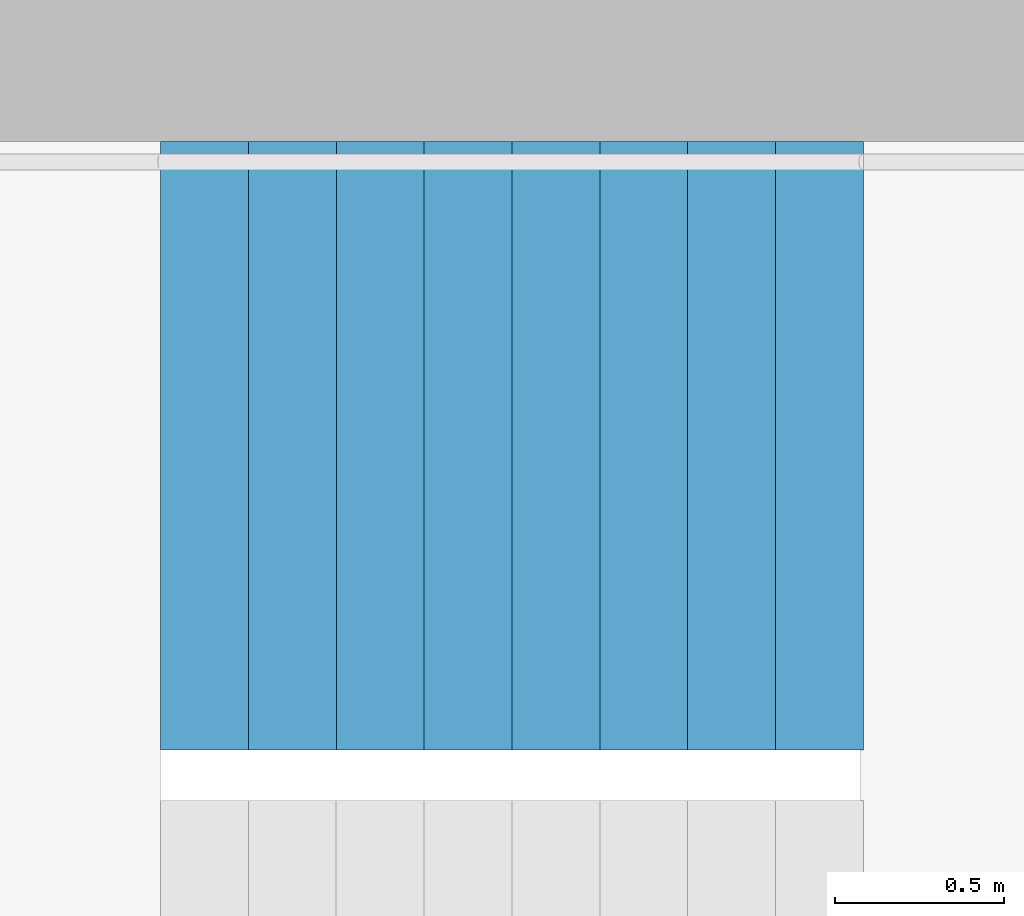
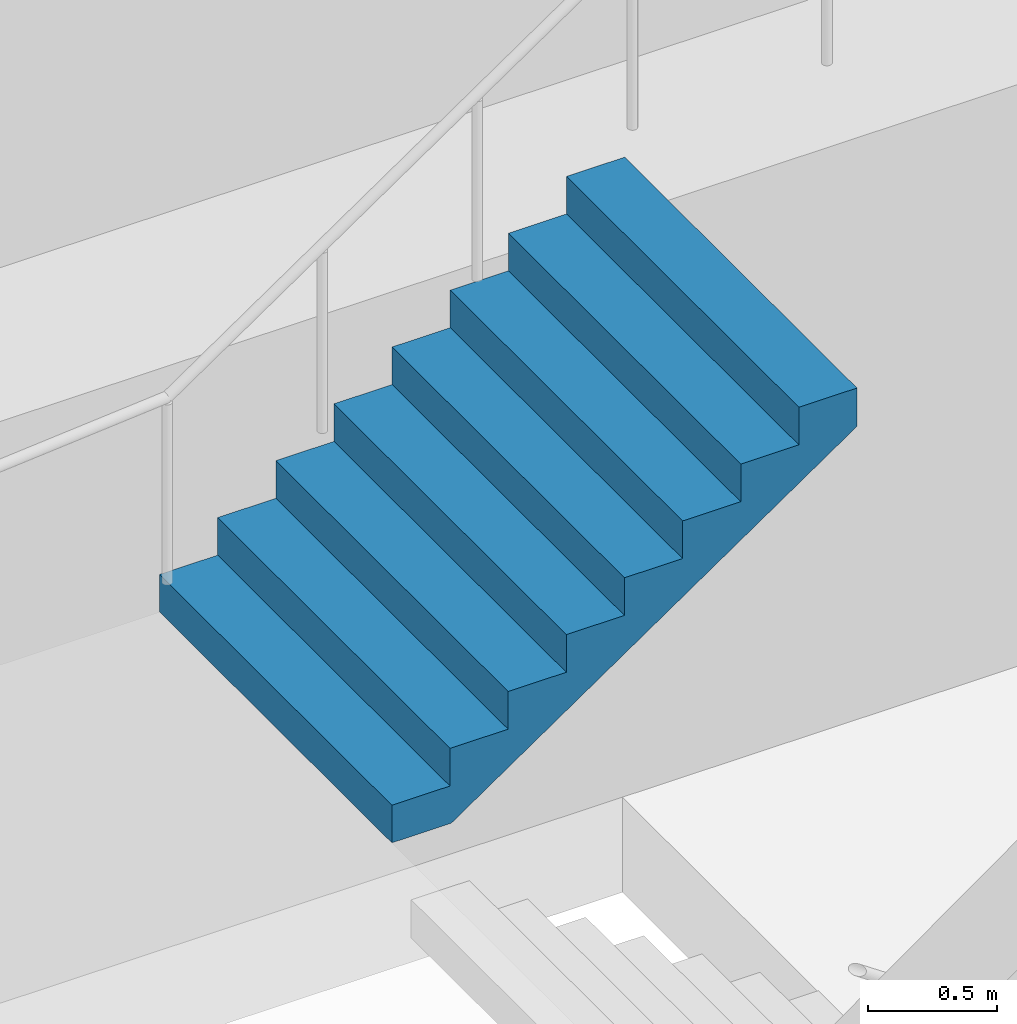
# One storey, part 26 of 27: 1 stair flight, 1 element without a shape of its own.
"""IFC4 building model written with IfcOpenShell, lengths in metres."""

from ifc_helpers import new_model, si_unit, direction, frame, origin, place, context, subcontext, project, spatial, triangles, material, type_object, element, aggregate, save


model = new_model("IFC4")

# Units and contexts
model_context = context("Model", 3, precision=1e-05, world=origin(), true_north=direction((0.0, 1.0)))
body_context = subcontext(model_context, "Body", "Model", "MODEL_VIEW")
ifc_project = project(units=[si_unit("LENGTHUNIT", "METRE"), si_unit("AREAUNIT", "SQUARE_METRE"), si_unit("VOLUMEUNIT", "CUBIC_METRE"), si_unit("PLANEANGLEUNIT", "RADIAN"), si_unit("MASSUNIT", "GRAM", prefix="KILO")], contexts=[model_context])

# Site, building, storey
site_placement = place(None, origin())
site = spatial("IfcSite", under=ifc_project, at=site_placement, CompositionType="ELEMENT")
building_placement = place(site_placement, origin())
building = spatial("IfcBuilding", under=site, at=building_placement, Name="Hakoniwa Tower and Hamabe Station Hall", CompositionType="ELEMENT")
storey_placement = place(building_placement, frame((0.0, 0.0, 261.39990234375)))
storey = spatial("IfcBuildingStorey", under=building, at=storey_placement, Name="L74", CompositionType="ELEMENT", Elevation=261.39990234375)

# Stair, stair flight
ifc_material_1 = material(Name="Concrete C40", Category="concrete")
stair_type = type_object("IfcStairType", Name="ESCAPE STAIR 1800", PredefinedType="HALF_TURN_STAIR", material=ifc_material_1)
stair_placement = place(storey_placement, origin())
stair = element("IfcStair", 1, at=stair_placement, inside=storey, type_object=stair_type, Name="Escape stair ST-3 L74", PredefinedType="HALF_TURN_STAIR")
ifc_material_2 = material(Name="Concrete C40", Category="concrete")
stair_flight_type = type_object("IfcStairFlightType", Name="STAIR FLIGHT 1800", PredefinedType="STRAIGHT", material=ifc_material_2)
stair_flight_placement = place(storey_placement, frame((22.320068359375, 6.60009765625, 1.60009765625), z_axis=(0.0, 0.0, 1.0), x_axis=(1.0, 0.0, 0.0)))
stair_flight = element("IfcStairFlight", 2, at=stair_flight_placement, type_object=stair_flight_type, Name="ST-3 flight 2", NumberOfRisers=9, NumberOfTreads=8, PredefinedType="STRAIGHT", RiserHeight=0.177777778, TreadLength=0.26, context=body_context, shape_type="Tessellation", body=[
    triangles([(0.0, 0.89990234375, 0.0), (0.260009765625, 0.89990234375, 0.0), (0.265625, 0.89990234375, 0.0), (0.52001953125, 0.89990234375, 0.174072265625), (0.780029296875, 0.89990234375, 0.351806640625), (1.0400390625, 0.89990234375, 0.529541015625), (1.300048828125, 0.89990234375, 0.707275390625), (1.56005859375, 0.89990234375, 0.885009765625), (1.820068359375, 0.89990234375, 1.062744140625), (2.080078125, 0.89990234375, 1.24072265625), (2.080078125, 0.89990234375, 1.422119140625), (1.820068359375, 0.89990234375, 1.422119140625), (1.820068359375, 0.89990234375, 1.244384765625), (1.56005859375, 0.89990234375, 1.244384765625), (1.56005859375, 0.89990234375, 1.066650390625), (1.300048828125, 0.89990234375, 1.066650390625), (1.300048828125, 0.89990234375, 0.888916015625), (1.0400390625, 0.89990234375, 0.888916015625), (1.0400390625, 0.89990234375, 0.711181640625), (0.780029296875, 0.89990234375, 0.711181640625), (0.780029296875, 0.89990234375, 0.533447265625), (0.52001953125, 0.89990234375, 0.533447265625), (0.52001953125, 0.89990234375, 0.35546875), (0.265625, 0.89990234375, 0.35546875), (0.260009765625, 0.89990234375, 0.35546875), (0.260009765625, 0.89990234375, 0.177734375), (0.0, 0.89990234375, 0.177734375), (0.0, 0.06005859375, 0.0), (0.260009765625, 0.06005859375, 0.0), (0.265625, 0.06005859375, 0.0), (0.52001953125, 0.06005859375, 0.174072265625), (0.780029296875, 0.06005859375, 0.351806640625), (1.0400390625, 0.06005859375, 0.529541015625), (1.300048828125, 0.06005859375, 0.707275390625), (1.56005859375, 0.06005859375, 0.885009765625), (1.820068359375, 0.06005859375, 1.062744140625), (2.080078125, 0.06005859375, 1.24072265625), (2.080078125, 0.06005859375, 1.422119140625), (1.820068359375, 0.06005859375, 1.422119140625), (1.820068359375, 0.06005859375, 1.244384765625), (1.56005859375, 0.06005859375, 1.244384765625), (1.56005859375, 0.06005859375, 1.066650390625), (1.300048828125, 0.06005859375, 1.066650390625), (1.300048828125, 0.06005859375, 0.888916015625), (1.0400390625, 0.06005859375, 0.888916015625), (1.0400390625, 0.06005859375, 0.711181640625), (0.780029296875, 0.06005859375, 0.711181640625), (0.780029296875, 0.06005859375, 0.533447265625), (0.52001953125, 0.06005859375, 0.533447265625), (0.52001953125, 0.06005859375, 0.35546875), (0.265625, 0.06005859375, 0.35546875), (0.260009765625, 0.06005859375, 0.35546875), (0.260009765625, 0.06005859375, 0.177734375), (0.0, 0.06005859375, 0.177734375), (0.0, 0.04296875, 0.0), (0.260009765625, 0.04296875, 0.0), (0.265625, 0.04296875, 0.0), (0.52001953125, 0.04296875, 0.174072265625), (0.780029296875, 0.04296875, 0.351806640625), (1.0400390625, 0.04296875, 0.529541015625), (1.300048828125, 0.04296875, 0.707275390625), (1.56005859375, 0.04296875, 0.885009765625), (1.820068359375, 0.04296875, 1.062744140625), (2.080078125, 0.04296875, 1.24072265625), (2.080078125, 0.04296875, 1.422119140625), (1.820068359375, 0.04296875, 1.422119140625), (1.820068359375, 0.04296875, 1.244384765625), (1.56005859375, 0.04296875, 1.244384765625), (1.56005859375, 0.04296875, 1.066650390625), (1.300048828125, 0.04296875, 1.066650390625), (1.300048828125, 0.04296875, 0.888916015625), (1.0400390625, 0.04296875, 0.888916015625), (1.0400390625, 0.04296875, 0.711181640625), (0.780029296875, 0.04296875, 0.711181640625), (0.780029296875, 0.04296875, 0.533447265625), (0.52001953125, 0.04296875, 0.533447265625), (0.52001953125, 0.04296875, 0.35546875), (0.265625, 0.04296875, 0.35546875), (0.260009765625, 0.04296875, 0.35546875), (0.260009765625, 0.04296875, 0.177734375), (0.0, 0.04296875, 0.177734375), (0.0, 0.025634765625, 0.0), (0.260009765625, 0.025634765625, 0.0), (0.265625, 0.025634765625, 0.0), (0.52001953125, 0.025634765625, 0.174072265625), (0.780029296875, 0.025634765625, 0.351806640625), (1.0400390625, 0.025634765625, 0.529541015625), (1.300048828125, 0.025634765625, 0.707275390625), (1.56005859375, 0.025634765625, 0.885009765625), (1.820068359375, 0.025634765625, 1.062744140625), (2.080078125, 0.025634765625, 1.24072265625), (2.080078125, 0.025634765625, 1.422119140625), (1.820068359375, 0.025634765625, 1.422119140625), (1.820068359375, 0.025634765625, 1.244384765625), (1.56005859375, 0.025634765625, 1.244384765625), (1.56005859375, 0.025634765625, 1.066650390625), (1.300048828125, 0.025634765625, 1.066650390625), (1.300048828125, 0.025634765625, 0.888916015625), (1.0400390625, 0.025634765625, 0.888916015625), (1.0400390625, 0.025634765625, 0.711181640625), (0.780029296875, 0.025634765625, 0.711181640625), (0.780029296875, 0.025634765625, 0.533447265625), (0.52001953125, 0.025634765625, 0.533447265625), (0.52001953125, 0.025634765625, 0.35546875), (0.265625, 0.025634765625, 0.35546875), (0.260009765625, 0.025634765625, 0.35546875), (0.260009765625, 0.025634765625, 0.177734375), (0.0, 0.025634765625, 0.177734375), (0.0, 0.008544921875, 0.0), (0.260009765625, 0.008544921875, 0.0), (0.265625, 0.008544921875, 0.0), (0.52001953125, 0.008544921875, 0.174072265625), (0.780029296875, 0.008544921875, 0.351806640625), (1.0400390625, 0.008544921875, 0.529541015625), (1.300048828125, 0.008544921875, 0.707275390625), (1.56005859375, 0.008544921875, 0.885009765625), (1.820068359375, 0.008544921875, 1.062744140625), (2.080078125, 0.008544921875, 1.24072265625), (2.080078125, 0.008544921875, 1.422119140625), (1.820068359375, 0.008544921875, 1.422119140625), (1.820068359375, 0.008544921875, 1.244384765625), (1.56005859375, 0.008544921875, 1.244384765625), (1.56005859375, 0.008544921875, 1.066650390625), (1.300048828125, 0.008544921875, 1.066650390625), (1.300048828125, 0.008544921875, 0.888916015625), (1.0400390625, 0.008544921875, 0.888916015625), (1.0400390625, 0.008544921875, 0.711181640625), (0.780029296875, 0.008544921875, 0.711181640625), (0.780029296875, 0.008544921875, 0.533447265625), (0.52001953125, 0.008544921875, 0.533447265625), (0.52001953125, 0.008544921875, 0.35546875), (0.265625, 0.008544921875, 0.35546875), (0.260009765625, 0.008544921875, 0.35546875), (0.260009765625, 0.008544921875, 0.177734375), (0.0, 0.008544921875, 0.177734375), (0.0, -0.008544921875, 0.0), (0.260009765625, -0.008544921875, 0.0), (0.265625, -0.008544921875, 0.0), (0.52001953125, -0.008544921875, 0.174072265625), (0.780029296875, -0.008544921875, 0.351806640625), (1.0400390625, -0.008544921875, 0.529541015625), (1.300048828125, -0.008544921875, 0.707275390625), (1.56005859375, -0.008544921875, 0.885009765625), (1.820068359375, -0.008544921875, 1.062744140625), (2.080078125, -0.008544921875, 1.24072265625), (2.080078125, -0.008544921875, 1.422119140625), (1.820068359375, -0.008544921875, 1.422119140625), (1.820068359375, -0.008544921875, 1.244384765625), (1.56005859375, -0.008544921875, 1.244384765625), (1.56005859375, -0.008544921875, 1.066650390625), (1.300048828125, -0.008544921875, 1.066650390625), (1.300048828125, -0.008544921875, 0.888916015625), (1.0400390625, -0.008544921875, 0.888916015625), (1.0400390625, -0.008544921875, 0.711181640625), (0.780029296875, -0.008544921875, 0.711181640625), (0.780029296875, -0.008544921875, 0.533447265625), (0.52001953125, -0.008544921875, 0.533447265625), (0.52001953125, -0.008544921875, 0.35546875), (0.265625, -0.008544921875, 0.35546875), (0.260009765625, -0.008544921875, 0.35546875), (0.260009765625, -0.008544921875, 0.177734375), (0.0, -0.008544921875, 0.177734375), (0.0, -0.025634765625, 0.0), (0.260009765625, -0.025634765625, 0.0), (0.265625, -0.025634765625, 0.0), (0.52001953125, -0.025634765625, 0.174072265625), (0.780029296875, -0.025634765625, 0.351806640625), (1.0400390625, -0.025634765625, 0.529541015625), (1.300048828125, -0.025634765625, 0.707275390625), (1.56005859375, -0.025634765625, 0.885009765625), (1.820068359375, -0.025634765625, 1.062744140625), (2.080078125, -0.025634765625, 1.24072265625), (2.080078125, -0.025634765625, 1.422119140625), (1.820068359375, -0.025634765625, 1.422119140625), (1.820068359375, -0.025634765625, 1.244384765625), (1.56005859375, -0.025634765625, 1.244384765625), (1.56005859375, -0.025634765625, 1.066650390625), (1.300048828125, -0.025634765625, 1.066650390625), (1.300048828125, -0.025634765625, 0.888916015625), (1.0400390625, -0.025634765625, 0.888916015625), (1.0400390625, -0.025634765625, 0.711181640625), (0.780029296875, -0.025634765625, 0.711181640625), (0.780029296875, -0.025634765625, 0.533447265625), (0.52001953125, -0.025634765625, 0.533447265625), (0.52001953125, -0.025634765625, 0.35546875), (0.265625, -0.025634765625, 0.35546875), (0.260009765625, -0.025634765625, 0.35546875), (0.260009765625, -0.025634765625, 0.177734375), (0.0, -0.025634765625, 0.177734375), (0.0, -0.04296875, 0.0), (0.260009765625, -0.04296875, 0.0), (0.265625, -0.04296875, 0.0), (0.52001953125, -0.04296875, 0.174072265625), (0.780029296875, -0.04296875, 0.351806640625), (1.0400390625, -0.04296875, 0.529541015625), (1.300048828125, -0.04296875, 0.707275390625), (1.56005859375, -0.04296875, 0.885009765625), (1.820068359375, -0.04296875, 1.062744140625), (2.080078125, -0.04296875, 1.24072265625), (2.080078125, -0.04296875, 1.422119140625), (1.820068359375, -0.04296875, 1.422119140625), (1.820068359375, -0.04296875, 1.244384765625), (1.56005859375, -0.04296875, 1.244384765625), (1.56005859375, -0.04296875, 1.066650390625), (1.300048828125, -0.04296875, 1.066650390625), (1.300048828125, -0.04296875, 0.888916015625), (1.0400390625, -0.04296875, 0.888916015625), (1.0400390625, -0.04296875, 0.711181640625), (0.780029296875, -0.04296875, 0.711181640625), (0.780029296875, -0.04296875, 0.533447265625), (0.52001953125, -0.04296875, 0.533447265625), (0.52001953125, -0.04296875, 0.35546875), (0.265625, -0.04296875, 0.35546875), (0.260009765625, -0.04296875, 0.35546875), (0.260009765625, -0.04296875, 0.177734375), (0.0, -0.04296875, 0.177734375), (0.0, -0.06005859375, 0.0), (0.260009765625, -0.06005859375, 0.0), (0.265625, -0.06005859375, 0.0), (0.52001953125, -0.06005859375, 0.174072265625), (0.780029296875, -0.06005859375, 0.351806640625), (1.0400390625, -0.06005859375, 0.529541015625), (1.300048828125, -0.06005859375, 0.707275390625), (1.56005859375, -0.06005859375, 0.885009765625), (1.820068359375, -0.06005859375, 1.062744140625), (2.080078125, -0.06005859375, 1.24072265625), (2.080078125, -0.06005859375, 1.422119140625), (1.820068359375, -0.06005859375, 1.422119140625), (1.820068359375, -0.06005859375, 1.244384765625), (1.56005859375, -0.06005859375, 1.244384765625), (1.56005859375, -0.06005859375, 1.066650390625), (1.300048828125, -0.06005859375, 1.066650390625), (1.300048828125, -0.06005859375, 0.888916015625), (1.0400390625, -0.06005859375, 0.888916015625), (1.0400390625, -0.06005859375, 0.711181640625), (0.780029296875, -0.06005859375, 0.711181640625), (0.780029296875, -0.06005859375, 0.533447265625), (0.52001953125, -0.06005859375, 0.533447265625), (0.52001953125, -0.06005859375, 0.35546875), (0.265625, -0.06005859375, 0.35546875), (0.260009765625, -0.06005859375, 0.35546875), (0.260009765625, -0.06005859375, 0.177734375), (0.0, -0.06005859375, 0.177734375), (0.0, -0.89990234375, 0.0), (0.260009765625, -0.89990234375, 0.0), (0.265625, -0.89990234375, 0.0), (0.52001953125, -0.89990234375, 0.174072265625), (0.780029296875, -0.89990234375, 0.351806640625), (1.0400390625, -0.89990234375, 0.529541015625), (1.300048828125, -0.89990234375, 0.707275390625), (1.56005859375, -0.89990234375, 0.885009765625), (1.820068359375, -0.89990234375, 1.062744140625), (2.080078125, -0.89990234375, 1.24072265625), (2.080078125, -0.89990234375, 1.422119140625), (1.820068359375, -0.89990234375, 1.422119140625), (1.820068359375, -0.89990234375, 1.244384765625), (1.56005859375, -0.89990234375, 1.244384765625), (1.56005859375, -0.89990234375, 1.066650390625), (1.300048828125, -0.89990234375, 1.066650390625), (1.300048828125, -0.89990234375, 0.888916015625), (1.0400390625, -0.89990234375, 0.888916015625), (1.0400390625, -0.89990234375, 0.711181640625), (0.780029296875, -0.89990234375, 0.711181640625), (0.780029296875, -0.89990234375, 0.533447265625), (0.52001953125, -0.89990234375, 0.533447265625), (0.52001953125, -0.89990234375, 0.35546875), (0.265625, -0.89990234375, 0.35546875), (0.260009765625, -0.89990234375, 0.35546875), (0.260009765625, -0.89990234375, 0.177734375), (0.0, -0.89990234375, 0.177734375)], [[2, 27, 26], [245, 269, 270], [2, 1, 27], [245, 270, 244], [3, 25, 24], [246, 267, 268], [3, 26, 25], [246, 268, 269], [3, 2, 26], [246, 269, 245], [4, 24, 23], [247, 266, 267], [4, 3, 24], [247, 267, 246], [5, 22, 21], [248, 264, 265], [5, 23, 22], [248, 265, 266], [5, 4, 23], [248, 266, 247], [6, 20, 19], [249, 262, 263], [6, 21, 20], [249, 263, 264], [6, 5, 21], [249, 264, 248], [7, 18, 17], [250, 260, 261], [7, 19, 18], [250, 261, 262], [7, 6, 19], [250, 262, 249], [8, 16, 15], [251, 258, 259], [8, 17, 16], [251, 259, 260], [8, 7, 17], [251, 260, 250], [9, 14, 13], [252, 256, 257], [9, 15, 14], [252, 257, 258], [9, 8, 15], [252, 258, 251], [10, 12, 11], [253, 254, 255], [10, 13, 12], [253, 255, 256], [10, 9, 13], [253, 256, 252], [1, 2, 29], [1, 29, 28], [28, 29, 56], [28, 56, 55], [55, 56, 83], [55, 83, 82], [82, 83, 110], [82, 110, 109], [109, 110, 137], [109, 137, 136], [136, 137, 164], [136, 164, 163], [163, 164, 191], [163, 191, 190], [190, 191, 218], [190, 218, 217], [217, 218, 245], [217, 245, 244], [2, 3, 30], [2, 30, 29], [29, 30, 57], [29, 57, 56], [56, 57, 84], [56, 84, 83], [83, 84, 111], [83, 111, 110], [110, 111, 138], [110, 138, 137], [137, 138, 165], [137, 165, 164], [164, 165, 192], [164, 192, 191], [191, 192, 219], [191, 219, 218], [218, 219, 246], [218, 246, 245], [3, 4, 31], [3, 31, 30], [30, 31, 58], [30, 58, 57], [57, 58, 85], [57, 85, 84], [84, 85, 112], [84, 112, 111], [111, 112, 139], [111, 139, 138], [138, 139, 166], [138, 166, 165], [165, 166, 193], [165, 193, 192], [192, 193, 220], [192, 220, 219], [219, 220, 247], [219, 247, 246], [4, 5, 32], [4, 32, 31], [31, 32, 59], [31, 59, 58], [58, 59, 86], [58, 86, 85], [85, 86, 113], [85, 113, 112], [112, 113, 140], [112, 140, 139], [139, 140, 167], [139, 167, 166], [166, 167, 194], [166, 194, 193], [193, 194, 221], [193, 221, 220], [220, 221, 248], [220, 248, 247], [5, 6, 33], [5, 33, 32], [32, 33, 60], [32, 60, 59], [59, 60, 87], [59, 87, 86], [86, 87, 114], [86, 114, 113], [113, 114, 141], [113, 141, 140], [140, 141, 168], [140, 168, 167], [167, 168, 195], [167, 195, 194], [194, 195, 222], [194, 222, 221], [221, 222, 249], [221, 249, 248], [6, 7, 34], [6, 34, 33], [33, 34, 61], [33, 61, 60], [60, 61, 88], [60, 88, 87], [87, 88, 115], [87, 115, 114], [114, 115, 142], [114, 142, 141], [141, 142, 169], [141, 169, 168], [168, 169, 196], [168, 196, 195], [195, 196, 223], [195, 223, 222], [222, 223, 250], [222, 250, 249], [7, 8, 35], [7, 35, 34], [34, 35, 62], [34, 62, 61], [61, 62, 89], [61, 89, 88], [88, 89, 116], [88, 116, 115], [115, 116, 143], [115, 143, 142], [142, 143, 170], [142, 170, 169], [169, 170, 197], [169, 197, 196], [196, 197, 224], [196, 224, 223], [223, 224, 251], [223, 251, 250], [8, 9, 36], [8, 36, 35], [35, 36, 63], [35, 63, 62], [62, 63, 90], [62, 90, 89], [89, 90, 117], [89, 117, 116], [116, 117, 144], [116, 144, 143], [143, 144, 171], [143, 171, 170], [170, 171, 198], [170, 198, 197], [197, 198, 225], [197, 225, 224], [224, 225, 252], [224, 252, 251], [9, 10, 37], [9, 37, 36], [36, 37, 64], [36, 64, 63], [63, 64, 91], [63, 91, 90], [90, 91, 118], [90, 118, 117], [117, 118, 145], [117, 145, 144], [144, 145, 172], [144, 172, 171], [171, 172, 199], [171, 199, 198], [198, 199, 226], [198, 226, 225], [225, 226, 253], [225, 253, 252], [10, 11, 38], [10, 38, 37], [37, 38, 65], [37, 65, 64], [64, 65, 92], [64, 92, 91], [91, 92, 119], [91, 119, 118], [118, 119, 146], [118, 146, 145], [145, 146, 173], [145, 173, 172], [172, 173, 200], [172, 200, 199], [199, 200, 227], [199, 227, 226], [226, 227, 254], [226, 254, 253], [11, 12, 39], [11, 39, 38], [38, 39, 66], [38, 66, 65], [65, 66, 93], [65, 93, 92], [92, 93, 120], [92, 120, 119], [119, 120, 147], [119, 147, 146], [146, 147, 174], [146, 174, 173], [173, 174, 201], [173, 201, 200], [200, 201, 228], [200, 228, 227], [227, 228, 255], [227, 255, 254], [12, 13, 40], [12, 40, 39], [39, 40, 67], [39, 67, 66], [66, 67, 94], [66, 94, 93], [93, 94, 121], [93, 121, 120], [120, 121, 148], [120, 148, 147], [147, 148, 175], [147, 175, 174], [174, 175, 202], [174, 202, 201], [201, 202, 229], [201, 229, 228], [228, 229, 256], [228, 256, 255], [13, 14, 41], [13, 41, 40], [40, 41, 68], [40, 68, 67], [67, 68, 95], [67, 95, 94], [94, 95, 122], [94, 122, 121], [121, 122, 149], [121, 149, 148], [148, 149, 176], [148, 176, 175], [175, 176, 203], [175, 203, 202], [202, 203, 230], [202, 230, 229], [229, 230, 257], [229, 257, 256], [14, 15, 42], [14, 42, 41], [41, 42, 69], [41, 69, 68], [68, 69, 96], [68, 96, 95], [95, 96, 123], [95, 123, 122], [122, 123, 150], [122, 150, 149], [149, 150, 177], [149, 177, 176], [176, 177, 204], [176, 204, 203], [203, 204, 231], [203, 231, 230], [230, 231, 258], [230, 258, 257], [15, 16, 43], [15, 43, 42], [42, 43, 70], [42, 70, 69], [69, 70, 97], [69, 97, 96], [96, 97, 124], [96, 124, 123], [123, 124, 151], [123, 151, 150], [150, 151, 178], [150, 178, 177], [177, 178, 205], [177, 205, 204], [204, 205, 232], [204, 232, 231], [231, 232, 259], [231, 259, 258], [16, 17, 44], [16, 44, 43], [43, 44, 71], [43, 71, 70], [70, 71, 98], [70, 98, 97], [97, 98, 125], [97, 125, 124], [124, 125, 152], [124, 152, 151], [151, 152, 179], [151, 179, 178], [178, 179, 206], [178, 206, 205], [205, 206, 233], [205, 233, 232], [232, 233, 260], [232, 260, 259], [17, 18, 45], [17, 45, 44], [44, 45, 72], [44, 72, 71], [71, 72, 99], [71, 99, 98], [98, 99, 126], [98, 126, 125], [125, 126, 153], [125, 153, 152], [152, 153, 180], [152, 180, 179], [179, 180, 207], [179, 207, 206], [206, 207, 234], [206, 234, 233], [233, 234, 261], [233, 261, 260], [18, 19, 46], [18, 46, 45], [45, 46, 73], [45, 73, 72], [72, 73, 100], [72, 100, 99], [99, 100, 127], [99, 127, 126], [126, 127, 154], [126, 154, 153], [153, 154, 181], [153, 181, 180], [180, 181, 208], [180, 208, 207], [207, 208, 235], [207, 235, 234], [234, 235, 262], [234, 262, 261], [19, 20, 47], [19, 47, 46], [46, 47, 74], [46, 74, 73], [73, 74, 101], [73, 101, 100], [100, 101, 128], [100, 128, 127], [127, 128, 155], [127, 155, 154], [154, 155, 182], [154, 182, 181], [181, 182, 209], [181, 209, 208], [208, 209, 236], [208, 236, 235], [235, 236, 263], [235, 263, 262], [20, 21, 48], [20, 48, 47], [47, 48, 75], [47, 75, 74], [74, 75, 102], [74, 102, 101], [101, 102, 129], [101, 129, 128], [128, 129, 156], [128, 156, 155], [155, 156, 183], [155, 183, 182], [182, 183, 210], [182, 210, 209], [209, 210, 237], [209, 237, 236], [236, 237, 264], [236, 264, 263], [21, 22, 49], [21, 49, 48], [48, 49, 76], [48, 76, 75], [75, 76, 103], [75, 103, 102], [102, 103, 130], [102, 130, 129], [129, 130, 157], [129, 157, 156], [156, 157, 184], [156, 184, 183], [183, 184, 211], [183, 211, 210], [210, 211, 238], [210, 238, 237], [237, 238, 265], [237, 265, 264], [22, 23, 50], [22, 50, 49], [49, 50, 77], [49, 77, 76], [76, 77, 104], [76, 104, 103], [103, 104, 131], [103, 131, 130], [130, 131, 158], [130, 158, 157], [157, 158, 185], [157, 185, 184], [184, 185, 212], [184, 212, 211], [211, 212, 239], [211, 239, 238], [238, 239, 266], [238, 266, 265], [23, 24, 51], [23, 51, 50], [50, 51, 78], [50, 78, 77], [77, 78, 105], [77, 105, 104], [104, 105, 132], [104, 132, 131], [131, 132, 159], [131, 159, 158], [158, 159, 186], [158, 186, 185], [185, 186, 213], [185, 213, 212], [212, 213, 240], [212, 240, 239], [239, 240, 267], [239, 267, 266], [24, 25, 52], [24, 52, 51], [51, 52, 79], [51, 79, 78], [78, 79, 106], [78, 106, 105], [105, 106, 133], [105, 133, 132], [132, 133, 160], [132, 160, 159], [159, 160, 187], [159, 187, 186], [186, 187, 214], [186, 214, 213], [213, 214, 241], [213, 241, 240], [240, 241, 268], [240, 268, 267], [25, 26, 53], [25, 53, 52], [52, 53, 80], [52, 80, 79], [79, 80, 107], [79, 107, 106], [106, 107, 134], [106, 134, 133], [133, 134, 161], [133, 161, 160], [160, 161, 188], [160, 188, 187], [187, 188, 215], [187, 215, 214], [214, 215, 242], [214, 242, 241], [241, 242, 269], [241, 269, 268], [26, 27, 54], [26, 54, 53], [53, 54, 81], [53, 81, 80], [80, 81, 108], [80, 108, 107], [107, 108, 135], [107, 135, 134], [134, 135, 162], [134, 162, 161], [161, 162, 189], [161, 189, 188], [188, 189, 216], [188, 216, 215], [215, 216, 243], [215, 243, 242], [242, 243, 270], [242, 270, 269], [27, 1, 28], [27, 28, 54], [54, 28, 55], [54, 55, 81], [81, 55, 82], [81, 82, 108], [108, 82, 109], [108, 109, 135], [135, 109, 136], [135, 136, 162], [162, 136, 163], [162, 163, 189], [189, 163, 190], [189, 190, 216], [216, 190, 217], [216, 217, 243], [243, 217, 244], [243, 244, 270]], closed=True),
])
aggregate(stair, [stair_flight])

save(model, "model.ifc")
